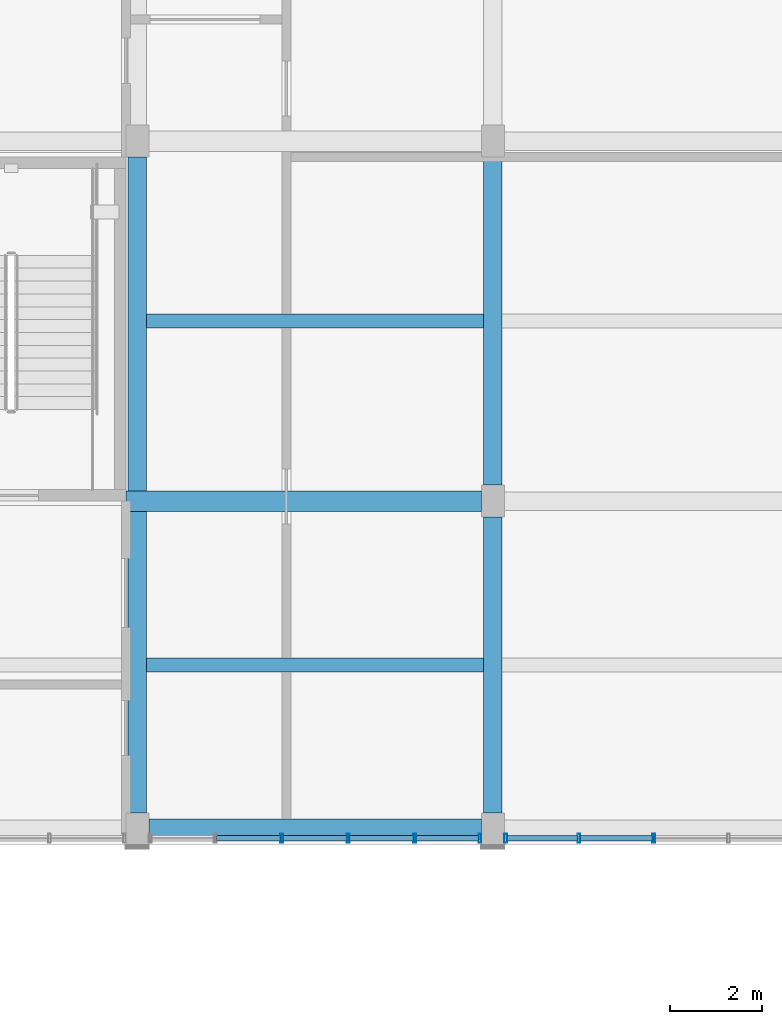
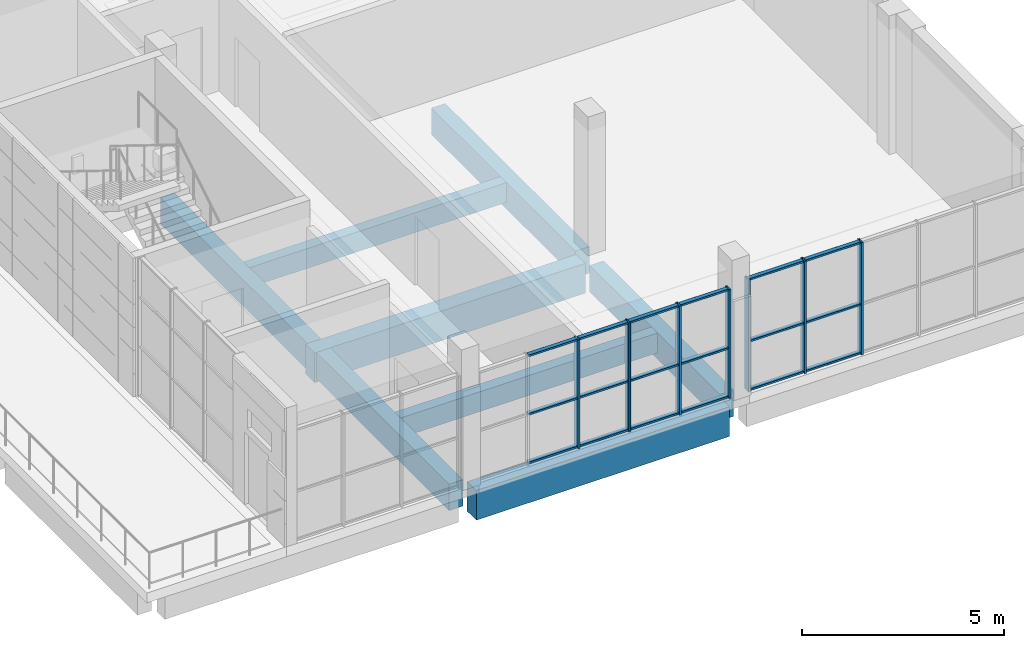
# One storey, part 7 of 36: 25 members, 8 beams, 2 elements without a shape of their own.
"""IFC4 building model written with IfcOpenShell, lengths in metres."""

from ifc_helpers import new_model, si_unit, direction, frame, origin, origin_2d, place, context, subcontext, project, spatial, rectangle, hollow_rectangle, extrude, material, material_profile, profile_set, type_object, element, aggregate, save


model = new_model("IFC4")

# Units and contexts
model_context = context("Model", 3, precision=1e-05, world=origin(), true_north=direction((0.0, 1.0)))
body_context = subcontext(model_context, "Body", "Model", "MODEL_VIEW")
ifc_project = project(units=[si_unit("LENGTHUNIT", "METRE"), si_unit("AREAUNIT", "SQUARE_METRE"), si_unit("VOLUMEUNIT", "CUBIC_METRE"), si_unit("PLANEANGLEUNIT", "RADIAN"), si_unit("MASSUNIT", "GRAM", prefix="KILO")], contexts=[model_context])

# Site, building, storey
site_placement = place(None, origin())
site = spatial("IfcSite", under=ifc_project, at=site_placement, CompositionType="ELEMENT")
building_placement = place(site_placement, origin())
building = spatial("IfcBuilding", under=site, at=building_placement, Name="Sun Court Science Centre", CompositionType="ELEMENT")
storey_placement = place(building_placement, frame((0.0, 0.0, 24.75)))
storey = spatial("IfcBuildingStorey", under=building, at=storey_placement, Name="L05", CompositionType="ELEMENT", Elevation=24.75)

# Curtain wall, members
ifc_material_1 = material(Name="Aluminium EN AW-6063 T6", Category="aluminium")
curtain_wall_type = type_object("IfcCurtainWallType", Name="Laboratory tall bay curtain wall 1500", PredefinedType="NOTDEFINED", material=ifc_material_1)
curtain_wall_1_placement = place(storey_placement, origin())
curtain_wall_1 = element("IfcCurtainWall", 1, at=curtain_wall_1_placement, inside=storey, type_object=curtain_wall_type, Name="Curtain wall V4 S4 L05 01", PredefinedType="NOTDEFINED")
ifc_material_2 = material(Name="Aluminium EN AW-6063 T6", Category="aluminium")
ifc_material_profile_1 = material_profile(ifc_material_2, hollow_rectangle(XDim=0.06005859375, YDim=0.199951171875, WallThickness=0.0048828125, InnerFilletRadius=0.0048828125, OuterFilletRadius=0.007568359375, at=origin_2d()), Name="AL 60x200x5")
ifc_profile_set_1 = profile_set([ifc_material_profile_1], Name="Aluminium EN AW-6063 T6")
member_type_1 = type_object("IfcMemberType", Name="Curtain wall mullion AL 60x200", PredefinedType="MULLION", material=ifc_profile_set_1)
member_1_placement = place(storey_placement, frame((95.280029296875, 28.64990234375, 0.0), z_axis=(0.0, 0.0, 1.0), x_axis=(-1.0, 0.0, 0.0)))
member_1 = element("IfcMember", 2, at=member_1_placement, type_object=member_type_1, Name="CW2-58 mullion 6", PredefinedType="MULLION", context=body_context, shape_type="SweptSolid", body=[
    extrude(hollow_rectangle(XDim=0.06005859375, YDim=0.199951171875, WallThickness=0.0048828125, InnerFilletRadius=0.0048828125, OuterFilletRadius=0.007568359375, at=origin_2d()), origin(), (0.0, 0.0, 1.0), 3.39990234375),
])
member_2_placement = place(storey_placement, frame((96.8798828125, 28.64990234375, 0.0), z_axis=(0.0, 0.0, 1.0), x_axis=(-1.0, 0.0, 0.0)))
member_2 = element("IfcMember", 3, at=member_2_placement, type_object=member_type_1, Name="CW2-58 mullion 5", PredefinedType="MULLION", context=body_context, shape_type="SweptSolid", body=[
    extrude(hollow_rectangle(XDim=0.06005859375, YDim=0.199951171875, WallThickness=0.0048828125, InnerFilletRadius=0.0048828125, OuterFilletRadius=0.007568359375, at=origin_2d()), origin(), (0.0, 0.0, 1.0), 3.39990234375),
])
member_3_placement = place(storey_placement, frame((98.510009765625, 28.64990234375, 0.0), z_axis=(0.0, 0.0, 1.0), x_axis=(-1.0, 0.0, 0.0)))
member_3 = element("IfcMember", 4, at=member_3_placement, type_object=member_type_1, Name="CW2-58 mullion 4", PredefinedType="MULLION", context=body_context, shape_type="SweptSolid", body=[
    extrude(hollow_rectangle(XDim=0.06005859375, YDim=0.199951171875, WallThickness=0.0048828125, InnerFilletRadius=0.0048828125, OuterFilletRadius=0.007568359375, at=origin_2d()), origin(), (0.0, 0.0, 1.0), 3.39990234375),
])

curtain_wall_2_placement = place(storey_placement, origin())
curtain_wall_2 = element("IfcCurtainWall", 5, at=curtain_wall_2_placement, inside=storey, type_object=curtain_wall_type, Name="Curtain wall V4 S4 L05 02", PredefinedType="NOTDEFINED")
member_4_placement = place(storey_placement, frame((90.39990234375, 28.64990234375, 0.0), z_axis=(0.0, 0.0, 1.0), x_axis=(-1.0, 0.0, 0.0)))
member_4 = element("IfcMember", 6, at=member_4_placement, type_object=member_type_1, Name="CW2-59 mullion 4", PredefinedType="MULLION", context=body_context, shape_type="SweptSolid", body=[
    extrude(hollow_rectangle(XDim=0.06005859375, YDim=0.199951171875, WallThickness=0.0048828125, InnerFilletRadius=0.0048828125, OuterFilletRadius=0.007568359375, at=origin_2d()), origin(), (0.0, 0.0, 1.0), 3.300048828125),
])
member_5_placement = place(storey_placement, frame((91.85009765625, 28.64990234375, 0.0), z_axis=(0.0, 0.0, 1.0), x_axis=(-1.0, 0.0, 0.0)))
member_5 = element("IfcMember", 7, at=member_5_placement, type_object=member_type_1, Name="CW2-59 mullion 3", PredefinedType="MULLION", context=body_context, shape_type="SweptSolid", body=[
    extrude(hollow_rectangle(XDim=0.06005859375, YDim=0.199951171875, WallThickness=0.0048828125, InnerFilletRadius=0.0048828125, OuterFilletRadius=0.007568359375, at=origin_2d()), origin(), (0.0, 0.0, 1.0), 3.300048828125),
])
member_6_placement = place(storey_placement, frame((93.300048828125, 28.64990234375, 0.0), z_axis=(0.0, 0.0, 1.0), x_axis=(-1.0, 0.0, 0.0)))
member_6 = element("IfcMember", 8, at=member_6_placement, type_object=member_type_1, Name="CW2-59 mullion 2", PredefinedType="MULLION", context=body_context, shape_type="SweptSolid", body=[
    extrude(hollow_rectangle(XDim=0.06005859375, YDim=0.199951171875, WallThickness=0.0048828125, InnerFilletRadius=0.0048828125, OuterFilletRadius=0.007568359375, at=origin_2d()), origin(), (0.0, 0.0, 1.0), 3.300048828125),
])
member_7_placement = place(storey_placement, frame((94.719970703125, 28.64990234375, 0.0), z_axis=(0.0, 0.0, 1.0), x_axis=(-1.0, 0.0, 0.0)))
member_7 = element("IfcMember", 9, at=member_7_placement, type_object=member_type_1, Name="CW2-59 mullion 1", PredefinedType="MULLION", context=body_context, shape_type="SweptSolid", body=[
    extrude(hollow_rectangle(XDim=0.06005859375, YDim=0.199951171875, WallThickness=0.0048828125, InnerFilletRadius=0.0048828125, OuterFilletRadius=0.007568359375, at=origin_2d()), origin(), (0.0, 0.0, 1.0), 3.300048828125),
])

# Member
ifc_material_3 = material(Name="Aluminium EN AW-6063 T6", Category="aluminium")
ifc_material_profile_2 = material_profile(ifc_material_3, hollow_rectangle(XDim=0.06005859375, YDim=0.1201171875, WallThickness=0.00390625, InnerFilletRadius=0.00390625, OuterFilletRadius=0.006103515625, at=origin_2d()), Name="AL 60x120x4")
ifc_profile_set_2 = profile_set([ifc_material_profile_2], Name="Aluminium EN AW-6063 T6")
member_type_2 = type_object("IfcMemberType", Name="Curtain wall transom AL 60x120", PredefinedType="USERDEFINED", material=ifc_profile_set_2)
member_8_placement = place(storey_placement, frame((96.85009765625, 28.64990234375, 0.030029296875), z_axis=(-1.0, 0.0, 0.0), x_axis=(0.0, 0.0, 1.0)))
member_8 = element("IfcMember", 10, at=member_8_placement, type_object=member_type_2, Name="CW2-58 transom 5.1", ObjectType="TRANSOM", PredefinedType="USERDEFINED", context=body_context, shape_type="SweptSolid", body=[
    extrude(hollow_rectangle(XDim=0.06005859375, YDim=0.1201171875, WallThickness=0.00390625, InnerFilletRadius=0.00390625, OuterFilletRadius=0.006103515625, at=origin_2d()), origin(), (0.0, 0.0, 1.0), 1.5400390625),
])

member_9_placement = place(storey_placement, frame((98.47998046875, 28.64990234375, 0.030029296875), z_axis=(-1.0, 0.0, 0.0), x_axis=(0.0, 0.0, 1.0)))
member_9 = element("IfcMember", 11, at=member_9_placement, type_object=member_type_2, Name="CW2-58 transom 4.1", ObjectType="TRANSOM", PredefinedType="USERDEFINED", context=body_context, shape_type="SweptSolid", body=[
    extrude(hollow_rectangle(XDim=0.06005859375, YDim=0.1201171875, WallThickness=0.00390625, InnerFilletRadius=0.00390625, OuterFilletRadius=0.006103515625, at=origin_2d()), origin(), (0.0, 0.0, 1.0), 1.570068359375),
])

member_10_placement = place(storey_placement, frame((96.85009765625, 28.64990234375, 1.5), z_axis=(-1.0, 0.0, 0.0), x_axis=(0.0, 0.0, 1.0)))
member_10 = element("IfcMember", 12, at=member_10_placement, type_object=member_type_2, Name="CW2-58 transom 5.2", ObjectType="TRANSOM", PredefinedType="USERDEFINED", context=body_context, shape_type="SweptSolid", body=[
    extrude(hollow_rectangle(XDim=0.06005859375, YDim=0.1201171875, WallThickness=0.00390625, InnerFilletRadius=0.00390625, OuterFilletRadius=0.006103515625, at=origin_2d()), origin(), (0.0, 0.0, 1.0), 1.5400390625),
])

member_11_placement = place(storey_placement, frame((98.47998046875, 28.64990234375, 1.5), z_axis=(-1.0, 0.0, 0.0), x_axis=(0.0, 0.0, 1.0)))
member_11 = element("IfcMember", 13, at=member_11_placement, type_object=member_type_2, Name="CW2-58 transom 4.2", ObjectType="TRANSOM", PredefinedType="USERDEFINED", context=body_context, shape_type="SweptSolid", body=[
    extrude(hollow_rectangle(XDim=0.06005859375, YDim=0.1201171875, WallThickness=0.00390625, InnerFilletRadius=0.00390625, OuterFilletRadius=0.006103515625, at=origin_2d()), origin(), (0.0, 0.0, 1.0), 1.570068359375),
])

member_12_placement = place(storey_placement, frame((96.85009765625, 28.64990234375, 3.3701171875), z_axis=(-1.0, 0.0, 0.0), x_axis=(0.0, 0.0, 1.0)))
member_12 = element("IfcMember", 14, at=member_12_placement, type_object=member_type_2, Name="CW2-58 transom 5.3", ObjectType="TRANSOM", PredefinedType="USERDEFINED", context=body_context, shape_type="SweptSolid", body=[
    extrude(hollow_rectangle(XDim=0.06005859375, YDim=0.1201171875, WallThickness=0.00390625, InnerFilletRadius=0.00390625, OuterFilletRadius=0.006103515625, at=origin_2d()), origin(), (0.0, 0.0, 1.0), 1.5400390625),
])

member_13_placement = place(storey_placement, frame((98.47998046875, 28.64990234375, 3.3701171875), z_axis=(-1.0, 0.0, 0.0), x_axis=(0.0, 0.0, 1.0)))
member_13 = element("IfcMember", 15, at=member_13_placement, type_object=member_type_2, Name="CW2-58 transom 4.3", ObjectType="TRANSOM", PredefinedType="USERDEFINED", context=body_context, shape_type="SweptSolid", body=[
    extrude(hollow_rectangle(XDim=0.06005859375, YDim=0.1201171875, WallThickness=0.00390625, InnerFilletRadius=0.00390625, OuterFilletRadius=0.006103515625, at=origin_2d()), origin(), (0.0, 0.0, 1.0), 1.570068359375),
])

aggregate(curtain_wall_1, [member_1, member_2, member_3, member_8, member_9, member_10, member_11, member_12, member_13])

member_14_placement = place(storey_placement, frame((90.3701171875, 28.64990234375, 0.030029296875), z_axis=(-1.0, 0.0, 0.0), x_axis=(0.0, 0.0, 1.0)))
member_14 = element("IfcMember", 16, at=member_14_placement, type_object=member_type_2, Name="CW2-59 transom 4.1", ObjectType="TRANSOM", PredefinedType="USERDEFINED", context=body_context, shape_type="SweptSolid", body=[
    extrude(hollow_rectangle(XDim=0.06005859375, YDim=0.1201171875, WallThickness=0.00390625, InnerFilletRadius=0.00390625, OuterFilletRadius=0.006103515625, at=origin_2d()), origin(), (0.0, 0.0, 1.0), 1.39013671875),
])

member_15_placement = place(storey_placement, frame((91.820068359375, 28.64990234375, 0.030029296875), z_axis=(-1.0, 0.0, 0.0), x_axis=(0.0, 0.0, 1.0)))
member_15 = element("IfcMember", 17, at=member_15_placement, type_object=member_type_2, Name="CW2-59 transom 3.1", ObjectType="TRANSOM", PredefinedType="USERDEFINED", context=body_context, shape_type="SweptSolid", body=[
    extrude(hollow_rectangle(XDim=0.06005859375, YDim=0.1201171875, WallThickness=0.00390625, InnerFilletRadius=0.00390625, OuterFilletRadius=0.006103515625, at=origin_2d()), origin(), (0.0, 0.0, 1.0), 1.39013671875),
])

member_16_placement = place(storey_placement, frame((93.27001953125, 28.64990234375, 0.030029296875), z_axis=(-1.0, 0.0, 0.0), x_axis=(0.0, 0.0, 1.0)))
member_16 = element("IfcMember", 18, at=member_16_placement, type_object=member_type_2, Name="CW2-59 transom 2.1", ObjectType="TRANSOM", PredefinedType="USERDEFINED", context=body_context, shape_type="SweptSolid", body=[
    extrude(hollow_rectangle(XDim=0.06005859375, YDim=0.1201171875, WallThickness=0.00390625, InnerFilletRadius=0.00390625, OuterFilletRadius=0.006103515625, at=origin_2d()), origin(), (0.0, 0.0, 1.0), 1.39013671875),
])

member_17_placement = place(storey_placement, frame((94.68994140625, 28.64990234375, 0.030029296875), z_axis=(-1.0, 0.0, 0.0), x_axis=(0.0, 0.0, 1.0)))
member_17 = element("IfcMember", 19, at=member_17_placement, type_object=member_type_2, Name="CW2-59 transom 1.1", ObjectType="TRANSOM", PredefinedType="USERDEFINED", context=body_context, shape_type="SweptSolid", body=[
    extrude(hollow_rectangle(XDim=0.06005859375, YDim=0.1201171875, WallThickness=0.00390625, InnerFilletRadius=0.00390625, OuterFilletRadius=0.006103515625, at=origin_2d()), origin(), (0.0, 0.0, 1.0), 1.35986328125),
])

member_18_placement = place(storey_placement, frame((90.3701171875, 28.64990234375, 1.5), z_axis=(-1.0, 0.0, 0.0), x_axis=(0.0, 0.0, 1.0)))
member_18 = element("IfcMember", 20, at=member_18_placement, type_object=member_type_2, Name="CW2-59 transom 4.2", ObjectType="TRANSOM", PredefinedType="USERDEFINED", context=body_context, shape_type="SweptSolid", body=[
    extrude(hollow_rectangle(XDim=0.06005859375, YDim=0.1201171875, WallThickness=0.00390625, InnerFilletRadius=0.00390625, OuterFilletRadius=0.006103515625, at=origin_2d()), origin(), (0.0, 0.0, 1.0), 1.39013671875),
])

member_19_placement = place(storey_placement, frame((91.820068359375, 28.64990234375, 1.5), z_axis=(-1.0, 0.0, 0.0), x_axis=(0.0, 0.0, 1.0)))
member_19 = element("IfcMember", 21, at=member_19_placement, type_object=member_type_2, Name="CW2-59 transom 3.2", ObjectType="TRANSOM", PredefinedType="USERDEFINED", context=body_context, shape_type="SweptSolid", body=[
    extrude(hollow_rectangle(XDim=0.06005859375, YDim=0.1201171875, WallThickness=0.00390625, InnerFilletRadius=0.00390625, OuterFilletRadius=0.006103515625, at=origin_2d()), origin(), (0.0, 0.0, 1.0), 1.39013671875),
])

member_20_placement = place(storey_placement, frame((93.27001953125, 28.64990234375, 1.5), z_axis=(-1.0, 0.0, 0.0), x_axis=(0.0, 0.0, 1.0)))
member_20 = element("IfcMember", 22, at=member_20_placement, type_object=member_type_2, Name="CW2-59 transom 2.2", ObjectType="TRANSOM", PredefinedType="USERDEFINED", context=body_context, shape_type="SweptSolid", body=[
    extrude(hollow_rectangle(XDim=0.06005859375, YDim=0.1201171875, WallThickness=0.00390625, InnerFilletRadius=0.00390625, OuterFilletRadius=0.006103515625, at=origin_2d()), origin(), (0.0, 0.0, 1.0), 1.39013671875),
])

member_21_placement = place(storey_placement, frame((94.68994140625, 28.64990234375, 1.5), z_axis=(-1.0, 0.0, 0.0), x_axis=(0.0, 0.0, 1.0)))
member_21 = element("IfcMember", 23, at=member_21_placement, type_object=member_type_2, Name="CW2-59 transom 1.2", ObjectType="TRANSOM", PredefinedType="USERDEFINED", context=body_context, shape_type="SweptSolid", body=[
    extrude(hollow_rectangle(XDim=0.06005859375, YDim=0.1201171875, WallThickness=0.00390625, InnerFilletRadius=0.00390625, OuterFilletRadius=0.006103515625, at=origin_2d()), origin(), (0.0, 0.0, 1.0), 1.35986328125),
])

member_22_placement = place(storey_placement, frame((90.3701171875, 28.64990234375, 3.27001953125), z_axis=(-1.0, 0.0, 0.0), x_axis=(0.0, 0.0, 1.0)))
member_22 = element("IfcMember", 24, at=member_22_placement, type_object=member_type_2, Name="CW2-59 transom 4.3", ObjectType="TRANSOM", PredefinedType="USERDEFINED", context=body_context, shape_type="SweptSolid", body=[
    extrude(hollow_rectangle(XDim=0.06005859375, YDim=0.1201171875, WallThickness=0.00390625, InnerFilletRadius=0.00390625, OuterFilletRadius=0.006103515625, at=origin_2d()), origin(), (0.0, 0.0, 1.0), 1.39013671875),
])

member_23_placement = place(storey_placement, frame((91.820068359375, 28.64990234375, 3.27001953125), z_axis=(-1.0, 0.0, 0.0), x_axis=(0.0, 0.0, 1.0)))
member_23 = element("IfcMember", 25, at=member_23_placement, type_object=member_type_2, Name="CW2-59 transom 3.3", ObjectType="TRANSOM", PredefinedType="USERDEFINED", context=body_context, shape_type="SweptSolid", body=[
    extrude(hollow_rectangle(XDim=0.06005859375, YDim=0.1201171875, WallThickness=0.00390625, InnerFilletRadius=0.00390625, OuterFilletRadius=0.006103515625, at=origin_2d()), origin(), (0.0, 0.0, 1.0), 1.39013671875),
])

member_24_placement = place(storey_placement, frame((93.27001953125, 28.64990234375, 3.27001953125), z_axis=(-1.0, 0.0, 0.0), x_axis=(0.0, 0.0, 1.0)))
member_24 = element("IfcMember", 26, at=member_24_placement, type_object=member_type_2, Name="CW2-59 transom 2.3", ObjectType="TRANSOM", PredefinedType="USERDEFINED", context=body_context, shape_type="SweptSolid", body=[
    extrude(hollow_rectangle(XDim=0.06005859375, YDim=0.1201171875, WallThickness=0.00390625, InnerFilletRadius=0.00390625, OuterFilletRadius=0.006103515625, at=origin_2d()), origin(), (0.0, 0.0, 1.0), 1.39013671875),
])

member_25_placement = place(storey_placement, frame((94.68994140625, 28.64990234375, 3.27001953125), z_axis=(-1.0, 0.0, 0.0), x_axis=(0.0, 0.0, 1.0)))
member_25 = element("IfcMember", 27, at=member_25_placement, type_object=member_type_2, Name="CW2-59 transom 1.3", ObjectType="TRANSOM", PredefinedType="USERDEFINED", context=body_context, shape_type="SweptSolid", body=[
    extrude(hollow_rectangle(XDim=0.06005859375, YDim=0.1201171875, WallThickness=0.00390625, InnerFilletRadius=0.00390625, OuterFilletRadius=0.006103515625, at=origin_2d()), origin(), (0.0, 0.0, 1.0), 1.35986328125),
])

aggregate(curtain_wall_2, [member_4, member_5, member_6, member_7, member_14, member_15, member_16, member_17, member_18, member_19, member_20, member_21, member_22, member_23, member_24, member_25])

# Beams
ifc_material_4 = material(Name="Concrete C25/30", Category="concrete")
ifc_material_profile_3 = material_profile(ifc_material_4, rectangle(XDim=0.39990234375, YDim=0.800048828125, at=origin_2d()), Name="RC 400x800")
ifc_profile_set_3 = profile_set([ifc_material_profile_3], Name="Concrete C25/30")
beam_type_1 = type_object("IfcBeamType", Name="RC girder 400x800", PredefinedType="BEAM", material=ifc_profile_set_3)
beam_1_placement = place(storey_placement, frame((87.25, 29.199951171875, -0.699951171875), z_axis=(0.0, 1.0, 0.0), x_axis=(-1.0, 0.0, 0.0)))
element("IfcBeam", 28, at=beam_1_placement, inside=storey, type_object=beam_type_1, Name="Girder L05 line 2", PredefinedType="BEAM", context=body_context, shape_type="SweptSolid", body=[
    extrude(rectangle(XDim=0.39990234375, YDim=0.800048828125, at=origin_2d()), origin(), (0.0, 0.0, 1.0), 6.574951171875),
])
beam_2_placement = place(storey_placement, frame((87.25, 36.22509765625, -0.699951171875), z_axis=(0.0, 1.0, 0.0), x_axis=(-1.0, 0.0, 0.0)))
element("IfcBeam", 29, at=beam_2_placement, inside=storey, type_object=beam_type_1, Name="Girder L05 line 2", PredefinedType="BEAM", context=body_context, shape_type="SweptSolid", body=[
    extrude(rectangle(XDim=0.39990234375, YDim=0.800048828125, at=origin_2d()), origin(), (0.0, 0.0, 1.0), 7.27490234375),
])
beam_3_placement = place(storey_placement, frame((95.0, 29.199951171875, -0.699951171875), z_axis=(0.0, 1.0, 0.0), x_axis=(-1.0, 0.0, 0.0)))
element("IfcBeam", 30, at=beam_3_placement, inside=storey, type_object=beam_type_1, Name="Girder L05 line 3", PredefinedType="BEAM", context=body_context, shape_type="SweptSolid", body=[
    extrude(rectangle(XDim=0.39990234375, YDim=0.800048828125, at=origin_2d()), origin(), (0.0, 0.0, 1.0), 6.449951171875),
])
beam_4_placement = place(storey_placement, frame((95.0, 36.35009765625, -0.699951171875), z_axis=(0.0, 1.0, 0.0), x_axis=(-1.0, 0.0, 0.0)))
element("IfcBeam", 31, at=beam_4_placement, inside=storey, type_object=beam_type_1, Name="Girder L05 line 3", PredefinedType="BEAM", context=body_context, shape_type="SweptSolid", body=[
    extrude(rectangle(XDim=0.39990234375, YDim=0.800048828125, at=origin_2d()), origin(), (0.0, 0.0, 1.0), 7.14990234375),
])
ifc_material_5 = material(Name="Concrete C25/30", Category="concrete")
ifc_material_profile_4 = material_profile(ifc_material_5, rectangle(XDim=0.449951171875, YDim=0.89990234375, at=origin_2d()), Name="RC 450x900")
ifc_profile_set_4 = profile_set([ifc_material_profile_4], Name="Concrete C25/30")
beam_type_2 = type_object("IfcBeamType", Name="RC girder 450x900", PredefinedType="BEAM", material=ifc_profile_set_4)
beam_5_placement = place(storey_placement, frame((87.5, 28.85009765625, -0.75), z_axis=(1.0, 0.0, 0.0), x_axis=(0.0, 1.0, 0.0)))
element("IfcBeam", 32, at=beam_5_placement, inside=storey, type_object=beam_type_2, Name="Girder L05 row 1", PredefinedType="BEAM", context=body_context, shape_type="SweptSolid", body=[
    extrude(rectangle(XDim=0.449951171875, YDim=0.89990234375, at=origin_2d()), origin(), (0.0, 0.0, 1.0), 7.25),
])
beam_6_placement = place(storey_placement, frame((87.0, 36.0, -0.75), z_axis=(1.0, 0.0, 0.0), x_axis=(0.0, 1.0, 0.0)))
element("IfcBeam", 33, at=beam_6_placement, inside=storey, type_object=beam_type_2, Name="Girder L05 row 2", PredefinedType="BEAM", context=body_context, shape_type="SweptSolid", body=[
    extrude(rectangle(XDim=0.449951171875, YDim=0.89990234375, at=origin_2d()), origin(), (0.0, 0.0, 1.0), 7.75),
])
ifc_material_6 = material(Name="Concrete C25/30", Category="concrete")
ifc_material_profile_5 = material_profile(ifc_material_6, rectangle(XDim=0.300048828125, YDim=0.60009765625, at=origin_2d()), Name="RC 300x600")
ifc_profile_set_5 = profile_set([ifc_material_profile_5], Name="Concrete C25/30")
beam_type_3 = type_object("IfcBeamType", Name="RC joist 300x600", PredefinedType="JOIST", material=ifc_profile_set_5)
for number, where, z_axis, x_axis, name in (
    (34, (87.449951171875, 32.425048828125, -0.60009765625), (1.0, 0.0, 0.0), (0.0, 1.0, 0.0), "Joist L05"),
    (35, (87.449951171875, 39.925048828125, -0.60009765625), (1.0, 0.0, 0.0), (0.0, 1.0, 0.0), "Joist L05"),
):
    element("IfcBeam", number, at=place(storey_placement, frame(where, z_axis=z_axis, x_axis=x_axis)), inside=storey, type_object=beam_type_3, Name=name, PredefinedType="JOIST", context=body_context, shape_type="SweptSolid", body=[
        extrude(rectangle(XDim=0.300048828125, YDim=0.60009765625, at=origin_2d()), origin(), (0.0, 0.0, 1.0), 7.35009765625),
    ])

save(model, "model.ifc")
